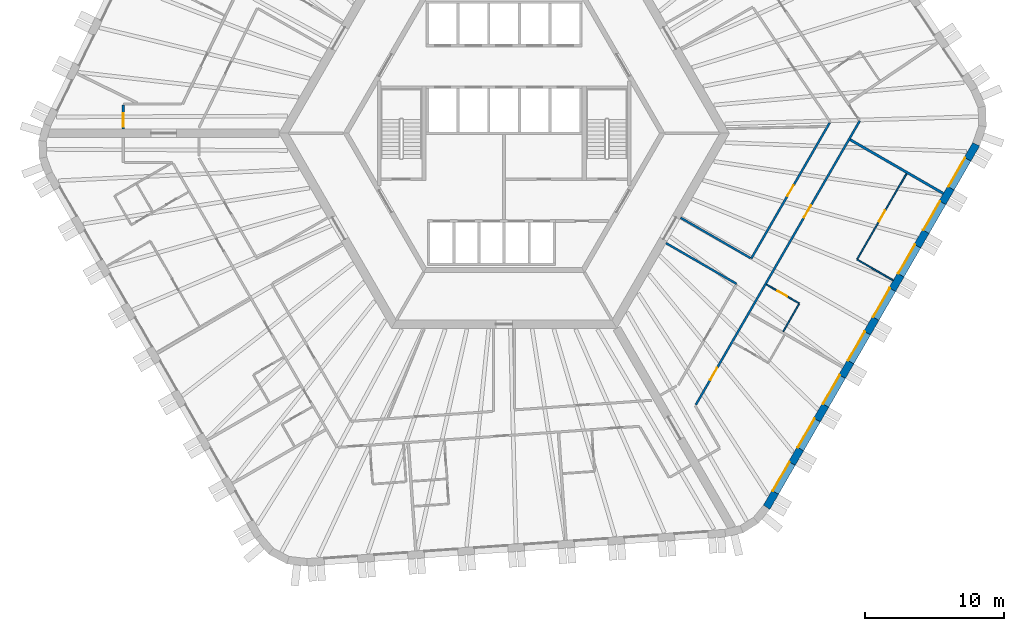
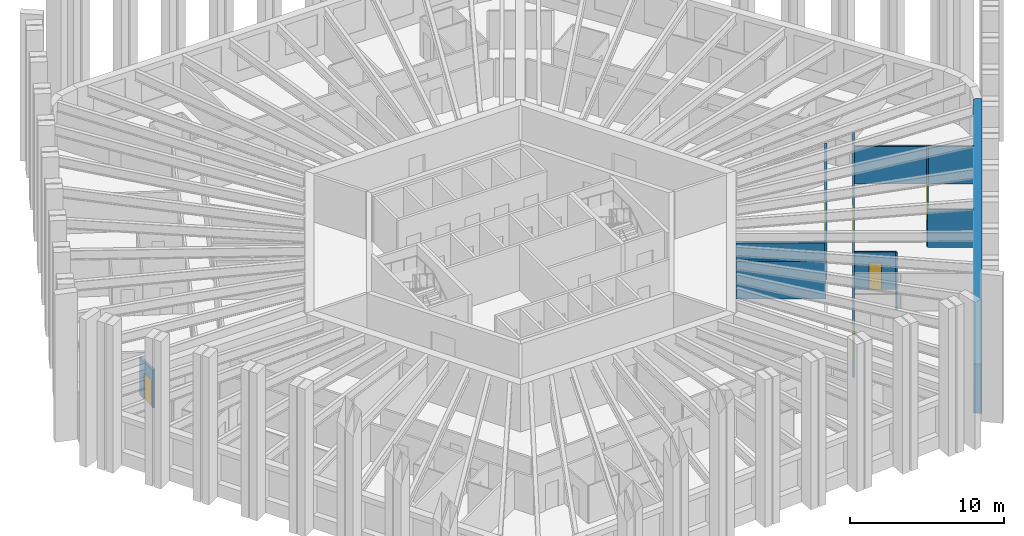
# One storey, part 6 of 13: 11 walls, 8 windows, 6 doors, 14 openings.
"""IFC4 building model written with IfcOpenShell, lengths in metres."""

from ifc_helpers import new_model, si_unit, direction, frame, frame_2d, origin, place, context, subcontext, project, spatial, polyline, rectangle, outline, extrude, material, layer, layer_set, type_object, element, fill, save


model = new_model("IFC4")

# Units and contexts
model_context = context("Model", 3, precision=1e-05, world=origin(), true_north=direction((0.0, 1.0)))
body_context = subcontext(model_context, "Body", "Model", "MODEL_VIEW")
ifc_project = project(units=[si_unit("LENGTHUNIT", "METRE"), si_unit("AREAUNIT", "SQUARE_METRE"), si_unit("VOLUMEUNIT", "CUBIC_METRE"), si_unit("PLANEANGLEUNIT", "RADIAN"), si_unit("MASSUNIT", "GRAM", prefix="KILO")], contexts=[model_context])

# Site, building, storey
site_placement = place(None, origin())
site = spatial("IfcSite", under=ifc_project, at=site_placement, CompositionType="ELEMENT")
building_placement = place(site_placement, origin())
building = spatial("IfcBuilding", under=site, at=building_placement, Name="Tarnside Tower", CompositionType="ELEMENT")
storey_placement = place(building_placement, frame((0.0, 0.0, 80.39990234375)))
storey = spatial("IfcBuildingStorey", under=building, at=storey_placement, Name="L17", CompositionType="ELEMENT", Elevation=80.39990234375)

# Wall, opening, door
ifc_material_1 = material(Name="Gypsum board partition on steel studs", Category="steel")
ifc_layer_1 = layer(ifc_material_1, 0.10009765625)
ifc_layer_set_1 = layer_set([ifc_layer_1], Name="Bathroom wall 100")
wall_type_1 = type_object("IfcWallType", Name="Bathroom wall 100", PredefinedType="PARTITIONING", material=ifc_layer_set_1)
wall_1_placement = place(storey_placement, frame((18.81982421875, -10.85302734375, 0.0), z_axis=(0.0, 0.0, 1.0), x_axis=(0.866073700213, -0.499916338801, 0.0)))
wall_1 = element("IfcWall", 1, at=wall_1_placement, inside=storey, type_object=wall_type_1, Name="Bathroom wall 05142", PredefinedType="PARTITIONING", context=body_context, shape_type="SweptSolid", body=[
    extrude(rectangle(XDim=2.72509765625, YDim=0.10009765625, at=frame_2d((1.362548828125, 0.0))), origin(), (0.0, 0.0, 1.0), 2.98779296875),
])
opening_1_placement = place(wall_1_placement, frame((0.925048828125, 0.0, 0.0)))
opening_1 = element("IfcOpeningElement", 2, at=opening_1_placement, cuts=wall_1, Name="Opening D-B1", PredefinedType="OPENING", context=body_context, shape_type="SweptSolid", body=[
    extrude(rectangle(XDim=0.800048828125, YDim=2.10009765625, at=frame_2d((0.39990234375, 1.050048828125))), frame((0.0, 0.06005859375, 0.0), z_axis=(0.0, -1.0, 0.0), x_axis=(1.0, 0.0, 0.0)), (0.0, 0.0, 1.0), 0.1201171875),
])
ifc_material_2 = material(Name="Timber door leaf", Category="wood")
door_type_1 = type_object("IfcDoorType", Name="Bathroom door 800", OperationType="NOTDEFINED", PredefinedType="DOOR", material=ifc_material_2)
door_1_placement = place(opening_1_placement, origin())
door_1 = element("IfcDoor", 3, at=door_1_placement, inside=storey, type_object=door_type_1, Name="Bathroom door 05033", OperationType="SINGLE_SWING_RIGHT", OverallHeight=2.10009765625, OverallWidth=0.800048828125, PredefinedType="DOOR", context=body_context, shape_type="SweptSolid", body=[
    extrude(rectangle(XDim=0.800048828125, YDim=2.10009765625, at=frame_2d((0.39990234375, 1.050048828125))), frame((0.0, 0.02490234375, 0.0), z_axis=(0.0, -1.0, 0.0), x_axis=(1.0, 0.0, 0.0)), (0.0, 0.0, 1.0), 0.050048828125),
])
fill(opening_1, door_1)

# Wall
wall_2_placement = place(storey_placement, frame((21.15478515625, -12.2587890625, 0.0), z_axis=(0.0, 0.0, 1.0), x_axis=(-0.49995000081, -0.866054268906, 0.0)))
element("IfcWall", 4, at=wall_2_placement, inside=storey, type_object=wall_type_1, Name="Bathroom wall 05143", PredefinedType="PARTITIONING", context=body_context, shape_type="SweptSolid", body=[
    extrude(rectangle(XDim=2.260009765625, YDim=0.10009765625, at=frame_2d((1.1298828125, 0.0))), origin(), (0.0, 0.0, 1.0), 2.98779296875),
])

# Wall, opening, door
ifc_layer_2 = layer(ifc_material_1, 0.14990234375)
ifc_layer_set_2 = layer_set([ifc_layer_2], Name="Corridor wall 150 EI 60")
wall_type_2 = type_object("IfcWallType", Name="Corridor wall 150 EI 60", PredefinedType="PARTITIONING", material=ifc_layer_set_2)
wall_3_placement = place(storey_placement, frame((-27.3203125, 2.02490234375, 0.0), z_axis=(0.0, 0.0, 1.0), x_axis=(0.0, -1.0, 0.0)))
wall_3 = element("IfcWall", 5, at=wall_3_placement, inside=storey, type_object=wall_type_2, Name="Corridor wall 05016", PredefinedType="PARTITIONING", context=body_context, shape_type="SweptSolid", body=[
    extrude(rectangle(XDim=1.724853515625, YDim=0.14990234375, at=frame_2d((0.8623046875, 0.0))), origin(), (0.0, 0.0, 1.0), 2.98779296875),
])
opening_2_placement = place(wall_3_placement, frame((0.574951171875, 0.0, 0.0)))
opening_2 = element("IfcOpeningElement", 6, at=opening_2_placement, cuts=wall_3, Name="Opening D-E1", PredefinedType="OPENING", context=body_context, shape_type="SweptSolid", body=[
    extrude(rectangle(XDim=1.0, YDim=2.10009765625, at=frame_2d((0.5, 1.050048828125))), frame((0.0, 0.0849609375, 0.0), z_axis=(0.0, -1.0, 0.0), x_axis=(1.0, 0.0, 0.0)), (0.0, 0.0, 1.0), 0.169921875),
])
door_type_2 = type_object("IfcDoorType", Name="Unit entrance door 1000 FD30S", OperationType="NOTDEFINED", PredefinedType="DOOR", material=ifc_material_2)
door_2_placement = place(opening_2_placement, origin())
door_2 = element("IfcDoor", 7, at=door_2_placement, inside=storey, type_object=door_type_2, Name="Unit door 05014", OperationType="SINGLE_SWING_LEFT", OverallHeight=2.10009765625, OverallWidth=1.0, PredefinedType="DOOR", context=body_context, shape_type="SweptSolid", body=[
    extrude(rectangle(XDim=1.0, YDim=2.10009765625, at=frame_2d((0.5, 1.050048828125))), frame((0.0, 0.02490234375, 0.0), z_axis=(0.0, -1.0, 0.0), x_axis=(1.0, 0.0, 0.0)), (0.0, 0.0, 1.0), 0.050048828125),
])
fill(opening_2, door_2)

# Wall, openings, doors
wall_4_placement = place(storey_placement, frame((13.75537109375, -19.47509765625, 0.0), z_axis=(0.0, 0.0, 1.0), x_axis=(0.50000013933, 0.866025323342, 0.0)))
wall_4 = element("IfcWall", 8, at=wall_4_placement, inside=storey, type_object=wall_type_2, Name="Corridor wall 05057", PredefinedType="PARTITIONING", context=body_context, shape_type="SweptSolid", body=[
    extrude(rectangle(XDim=23.5166015625, YDim=0.14990234375, at=frame_2d((11.75830078125, 0.0))), origin(), (0.0, 0.0, 1.0), 2.98779296875),
])
opening_3_placement = place(wall_4_placement, frame((2.056396484375, 0.0, 0.0)))
opening_3 = element("IfcOpeningElement", 9, at=opening_3_placement, cuts=wall_4, Name="Opening D-E1", PredefinedType="OPENING", context=body_context, shape_type="SweptSolid", body=[
    extrude(rectangle(XDim=1.0, YDim=2.10009765625, at=frame_2d((0.5, 1.050048828125))), frame((0.0, 0.0849609375, 0.0), z_axis=(0.0, -1.0, 0.0), x_axis=(1.0, 0.0, 0.0)), (0.0, 0.0, 1.0), 0.169921875),
])
opening_4_placement = place(wall_4_placement, frame((15.499267578125, 0.0, 0.0)))
opening_4 = element("IfcOpeningElement", 10, at=opening_4_placement, cuts=wall_4, Name="Opening D-E1", PredefinedType="OPENING", context=body_context, shape_type="SweptSolid", body=[
    extrude(rectangle(XDim=1.0, YDim=2.10009765625, at=frame_2d((0.5, 1.050048828125))), frame((0.0, 0.0849609375, 0.0), z_axis=(0.0, -1.0, 0.0), x_axis=(1.0, 0.0, 0.0)), (0.0, 0.0, 1.0), 0.169921875),
])
door_3_placement = place(opening_3_placement, origin())
door_3 = element("IfcDoor", 11, at=door_3_placement, inside=storey, type_object=door_type_2, Name="Unit door 05030", OperationType="SINGLE_SWING_RIGHT", OverallHeight=2.10009765625, OverallWidth=1.0, PredefinedType="DOOR", context=body_context, shape_type="SweptSolid", body=[
    extrude(rectangle(XDim=1.0, YDim=2.10009765625, at=frame_2d((0.5, 1.050048828125))), frame((0.0, 0.02490234375, 0.0), z_axis=(0.0, -1.0, 0.0), x_axis=(1.0, 0.0, 0.0)), (0.0, 0.0, 1.0), 0.050048828125),
])
fill(opening_3, door_3)
door_4_placement = place(opening_4_placement, origin())
door_4 = element("IfcDoor", 12, at=door_4_placement, inside=storey, type_object=door_type_2, Name="Unit door 05032", OperationType="SINGLE_SWING_LEFT", OverallHeight=2.10009765625, OverallWidth=1.0, PredefinedType="DOOR", context=body_context, shape_type="SweptSolid", body=[
    extrude(rectangle(XDim=1.0, YDim=2.10009765625, at=frame_2d((0.5, 1.050048828125))), frame((0.0, 0.02490234375, 0.0), z_axis=(0.0, -1.0, 0.0), x_axis=(1.0, 0.0, 0.0)), (0.0, 0.0, 1.0), 0.050048828125),
])
fill(opening_4, door_4)

# Wall, opening, door
wall_5_placement = place(storey_placement, frame((23.3505859375, 0.74462890625, 0.0), z_axis=(0.0, 0.0, 1.0), x_axis=(-0.49999316964, -0.866029347258, 0.0)))
wall_5 = element("IfcWall", 13, at=wall_5_placement, inside=storey, type_object=wall_type_2, Name="Corridor wall 05069", PredefinedType="PARTITIONING", context=body_context, shape_type="SweptSolid", body=[
    extrude(rectangle(XDim=11.241455078125, YDim=0.14990234375, at=frame_2d((5.62060546875, 0.0))), origin(), (0.0, 0.0, 1.0), 2.98779296875),
])
opening_5_placement = place(wall_5_placement, frame((5.170654296875, 0.0, 0.0)))
opening_5 = element("IfcOpeningElement", 14, at=opening_5_placement, cuts=wall_5, Name="Opening D-S1", PredefinedType="OPENING", context=body_context, shape_type="SweptSolid", body=[
    extrude(rectangle(XDim=0.89990234375, YDim=2.10009765625, at=frame_2d((0.449951171875, 1.050048828125))), frame((0.0, 0.0849609375, 0.0), z_axis=(0.0, -1.0, 0.0), x_axis=(1.0, 0.0, 0.0)), (0.0, 0.0, 1.0), 0.169921875),
])
door_type_3 = type_object("IfcDoorType", Name="Service room door 900 FD30S", OperationType="NOTDEFINED", PredefinedType="DOOR", material=ifc_material_2)
door_5_placement = place(opening_5_placement, origin())
door_5 = element("IfcDoor", 15, at=door_5_placement, inside=storey, type_object=door_type_3, Name="Service door 05049", OperationType="SINGLE_SWING_RIGHT", OverallHeight=2.10009765625, OverallWidth=0.89990234375, PredefinedType="DOOR", context=body_context, shape_type="SweptSolid", body=[
    extrude(rectangle(XDim=0.89990234375, YDim=2.10009765625, at=frame_2d((0.449951171875, 1.050048828125))), frame((0.0, 0.02490234375, 0.0), z_axis=(0.0, -1.0, 0.0), x_axis=(1.0, 0.0, 0.0)), (0.0, 0.0, 1.0), 0.050048828125),
])
fill(opening_5, door_5)

# Walls
wall_6_placement = place(storey_placement, frame((17.6650390625, -8.953125, 0.0), z_axis=(0.0, 0.0, 1.0), x_axis=(-0.866025774745, 0.499999357477, 0.0)))
element("IfcWall", 16, at=wall_6_placement, inside=storey, type_object=wall_type_2, Name="Corridor wall 05070", PredefinedType="PARTITIONING", context=body_context, shape_type="SweptSolid", body=[
    extrude(rectangle(XDim=5.77490234375, YDim=0.14990234375, at=frame_2d((2.887451171875, 0.0))), origin(), (0.0, 0.0, 1.0), 2.98779296875),
])
wall_7_placement = place(storey_placement, frame((11.61376953125, -7.88427734375, 0.0), z_axis=(0.0, 0.0, 1.0), x_axis=(0.866018092707, -0.500012662943, 0.0)))
element("IfcWall", 17, at=wall_7_placement, inside=storey, type_object=wall_type_2, Name="Corridor wall 05074", PredefinedType="PARTITIONING", context=body_context, shape_type="SweptSolid", body=[
    extrude(rectangle(XDim=5.849853515625, YDim=0.14990234375, at=frame_2d((2.9248046875, 0.0))), origin(), (0.0, 0.0, 1.0), 2.98779296875),
])
ifc_layer_3 = layer(ifc_material_1, 0.179931640625)
ifc_layer_set_3 = layer_set([ifc_layer_3], Name="Demising wall 180 EI 60")
wall_type_3 = type_object("IfcWallType", Name="Demising wall 180 EI 60", PredefinedType="PARTITIONING", material=ifc_layer_set_3)
wall_8_placement = place(storey_placement, frame((31.510009765625, -4.3232421875, 0.0), z_axis=(0.0, 0.0, 1.0), x_axis=(-0.866027174938, 0.499996932259, 0.0)))
element("IfcWall", 18, at=wall_8_placement, inside=storey, type_object=wall_type_3, Name="Demising wall 05146", PredefinedType="PARTITIONING", context=body_context, shape_type="SweptSolid", body=[
    extrude(rectangle(XDim=7.72509765625, YDim=0.179931640625, at=frame_2d((3.862548828125, 0.0))), origin(), (0.0, 0.0, 1.0), 2.98779296875),
])
ifc_layer_4 = layer(ifc_material_1, 0.10009765625)
ifc_layer_set_4 = layer_set([ifc_layer_4], Name="Partition 100")
wall_type_4 = type_object("IfcWallType", Name="Partition 100", PredefinedType="PARTITIONING", material=ifc_layer_set_4)
wall_9_placement = place(storey_placement, frame((27.909912109375, -10.55859375, 0.0), z_axis=(0.0, 0.0, 1.0), x_axis=(-0.866010750942, 0.50002537861, 0.0)))
element("IfcWall", 19, at=wall_9_placement, inside=storey, type_object=wall_type_4, Name="Partition wall 05144", PredefinedType="PARTITIONING", context=body_context, shape_type="SweptSolid", body=[
    extrude(rectangle(XDim=2.999755859375, YDim=0.10009765625, at=frame_2d((1.5, 0.0))), origin(), (0.0, 0.0, 1.0), 2.98779296875),
])

# Wall, opening, door
wall_10_placement = place(storey_placement, frame((25.3369140625, -9.01513671875, 0.0), z_axis=(0.0, 0.0, 1.0), x_axis=(0.500010820671, 0.866019156377, 0.0)))
wall_10 = element("IfcWall", 20, at=wall_10_placement, inside=storey, type_object=wall_type_4, Name="Partition wall 05145", PredefinedType="PARTITIONING", context=body_context, shape_type="SweptSolid", body=[
    extrude(rectangle(XDim=7.059814453125, YDim=0.10009765625, at=frame_2d((3.52978515625, 0.0))), origin(), (0.0, 0.0, 1.0), 2.98779296875),
])
opening_6_placement = place(wall_10_placement, frame((3.10009765625, 0.0, 0.0)))
opening_6 = element("IfcOpeningElement", 21, at=opening_6_placement, cuts=wall_10, Name="Opening D-I1", PredefinedType="OPENING", context=body_context, shape_type="SweptSolid", body=[
    extrude(rectangle(XDim=0.89990234375, YDim=2.10009765625, at=frame_2d((0.449951171875, 1.050048828125))), frame((0.0, 0.06005859375, 0.0), z_axis=(0.0, -1.0, 0.0), x_axis=(1.0, 0.0, 0.0)), (0.0, 0.0, 1.0), 0.1201171875),
])
door_type_4 = type_object("IfcDoorType", Name="Internal door 900", OperationType="NOTDEFINED", PredefinedType="DOOR", material=ifc_material_2)
door_6_placement = place(opening_6_placement, origin())
door_6 = element("IfcDoor", 22, at=door_6_placement, inside=storey, type_object=door_type_4, Name="Internal door 05034", OperationType="SINGLE_SWING_RIGHT", OverallHeight=2.10009765625, OverallWidth=0.89990234375, PredefinedType="DOOR", context=body_context, shape_type="SweptSolid", body=[
    extrude(rectangle(XDim=0.89990234375, YDim=2.10009765625, at=frame_2d((0.449951171875, 1.050048828125))), frame((0.0, 0.02490234375, 0.0), z_axis=(0.0, -1.0, 0.0), x_axis=(1.0, 0.0, 0.0)), (0.0, 0.0, 1.0), 0.050048828125),
])
fill(opening_6, door_6)

# Wall, openings, windows
ifc_material_3 = material(Name="Facing brick", Category="masonry")
ifc_layer_5 = layer(ifc_material_3, 0.10205078125)
ifc_material_4 = material(Name="Concrete C60/75 precast", Category="concrete")
ifc_layer_6 = layer(ifc_material_4, 0.347900390625)
ifc_material_5 = material(Name="Mineral wool insulation")
ifc_layer_7 = layer(ifc_material_5, 0.10009765625)
ifc_layer_set_5 = layer_set([ifc_layer_5, ifc_layer_6, ifc_layer_7], Name="Tube wall 550 brick faced")
wall_type_5 = type_object("IfcWallType", Name="Tube wall 550 brick faced", PredefinedType="SOLIDWALL", material=ifc_layer_set_5)
wall_11_placement = place(storey_placement, frame((18.830322265625, -26.834716796875, -0.14990234375), z_axis=(0.0, 0.0, 1.0), x_axis=(0.500003800416, 0.866023209602, 0.0)))
wall_11 = element("IfcWall", 23, at=wall_11_placement, inside=storey, type_object=wall_type_5, Name="Tube wall L17 F5 flush 16", PredefinedType="SOLIDWALL", context=body_context, shape_type="SweptSolid", body=[
    extrude(outline(polyline([(-0.0224609375, -0.27490234375), (30.0966796875, -0.27490234375), (30.04541015625, 0.27490234375), (0.0224609375, 0.27490234375), (-0.0224609375, -0.27490234375)])), origin(), (0.0, 0.0, 1.0), 3.89990234375),
])
opening_7_placement = place(wall_11_placement, frame((1.235595703125, 0.0, 1.050048828125)))
opening_7 = element("IfcOpeningElement", 24, at=opening_7_placement, cuts=wall_11, Name="Opening WH", PredefinedType="OPENING", context=body_context, shape_type="SweptSolid", body=[
    extrude(rectangle(XDim=2.39990234375, YDim=2.39990234375, at=frame_2d((1.199951171875, 1.199951171875))), frame((0.0, 0.28515625, 0.0), z_axis=(0.0, -1.0, 0.0), x_axis=(1.0, 0.0, 0.0)), (0.0, 0.0, 1.0), 0.570068359375),
])
opening_8_placement = place(wall_11_placement, frame((4.83544921875, 0.0, 1.050048828125)))
opening_8 = element("IfcOpeningElement", 25, at=opening_8_placement, cuts=wall_11, Name="Opening WH", PredefinedType="OPENING", context=body_context, shape_type="SweptSolid", body=[
    extrude(rectangle(XDim=2.39990234375, YDim=2.39990234375, at=frame_2d((1.199951171875, 1.199951171875))), frame((0.0, 0.28515625, 0.0), z_axis=(0.0, -1.0, 0.0), x_axis=(1.0, 0.0, 0.0)), (0.0, 0.0, 1.0), 0.570068359375),
])
opening_9_placement = place(wall_11_placement, frame((8.435546875, 0.0, 1.050048828125)))
opening_9 = element("IfcOpeningElement", 26, at=opening_9_placement, cuts=wall_11, Name="Opening WH", PredefinedType="OPENING", context=body_context, shape_type="SweptSolid", body=[
    extrude(rectangle(XDim=2.39990234375, YDim=2.39990234375, at=frame_2d((1.199951171875, 1.199951171875))), frame((0.0, 0.28515625, 0.0), z_axis=(0.0, -1.0, 0.0), x_axis=(1.0, 0.0, 0.0)), (0.0, 0.0, 1.0), 0.570068359375),
])
opening_10_placement = place(wall_11_placement, frame((12.035400390625, 0.0, 1.050048828125)))
opening_10 = element("IfcOpeningElement", 27, at=opening_10_placement, cuts=wall_11, Name="Opening WH", PredefinedType="OPENING", context=body_context, shape_type="SweptSolid", body=[
    extrude(rectangle(XDim=2.39990234375, YDim=2.39990234375, at=frame_2d((1.199951171875, 1.199951171875))), frame((0.0, 0.28515625, 0.0), z_axis=(0.0, -1.0, 0.0), x_axis=(1.0, 0.0, 0.0)), (0.0, 0.0, 1.0), 0.570068359375),
])
opening_11_placement = place(wall_11_placement, frame((15.635498046875, 0.0, 1.050048828125)))
opening_11 = element("IfcOpeningElement", 28, at=opening_11_placement, cuts=wall_11, Name="Opening WH", PredefinedType="OPENING", context=body_context, shape_type="SweptSolid", body=[
    extrude(rectangle(XDim=2.39990234375, YDim=2.39990234375, at=frame_2d((1.199951171875, 1.199951171875))), frame((0.0, 0.28515625, 0.0), z_axis=(0.0, -1.0, 0.0), x_axis=(1.0, 0.0, 0.0)), (0.0, 0.0, 1.0), 0.570068359375),
])
opening_12_placement = place(wall_11_placement, frame((19.235595703125, 0.0, 1.050048828125)))
opening_12 = element("IfcOpeningElement", 29, at=opening_12_placement, cuts=wall_11, Name="Opening WH", PredefinedType="OPENING", context=body_context, shape_type="SweptSolid", body=[
    extrude(rectangle(XDim=2.39990234375, YDim=2.39990234375, at=frame_2d((1.199951171875, 1.199951171875))), frame((0.0, 0.28515625, 0.0), z_axis=(0.0, -1.0, 0.0), x_axis=(1.0, 0.0, 0.0)), (0.0, 0.0, 1.0), 0.570068359375),
])
opening_13_placement = place(wall_11_placement, frame((22.83544921875, 0.0, 1.050048828125)))
opening_13 = element("IfcOpeningElement", 30, at=opening_13_placement, cuts=wall_11, Name="Opening WH", PredefinedType="OPENING", context=body_context, shape_type="SweptSolid", body=[
    extrude(rectangle(XDim=2.39990234375, YDim=2.39990234375, at=frame_2d((1.199951171875, 1.199951171875))), frame((0.0, 0.28515625, 0.0), z_axis=(0.0, -1.0, 0.0), x_axis=(1.0, 0.0, 0.0)), (0.0, 0.0, 1.0), 0.570068359375),
])
opening_14_placement = place(wall_11_placement, frame((26.435546875, 0.0, 1.050048828125)))
opening_14 = element("IfcOpeningElement", 31, at=opening_14_placement, cuts=wall_11, Name="Opening WH", PredefinedType="OPENING", context=body_context, shape_type="SweptSolid", body=[
    extrude(rectangle(XDim=2.39990234375, YDim=2.39990234375, at=frame_2d((1.199951171875, 1.199951171875))), frame((0.0, 0.28515625, 0.0), z_axis=(0.0, -1.0, 0.0), x_axis=(1.0, 0.0, 0.0)), (0.0, 0.0, 1.0), 0.570068359375),
])
ifc_material_6 = material(Name="Aluminium-framed double glazing", Category="aluminium")
window_type = type_object("IfcWindowType", Name="Hotel window 2400 x 2400", PartitioningType="DOUBLE_PANEL_VERTICAL", PredefinedType="WINDOW", material=ifc_material_6)
window_1_placement = place(opening_7_placement, frame((0.0, 0.205078125, 0.0)))
window_1 = element("IfcWindow", 32, at=window_1_placement, inside=storey, type_object=window_type, Name="E.WN.L17.F5.00", OverallHeight=2.39990234375, OverallWidth=2.39990234375, PartitioningType="DOUBLE_PANEL_VERTICAL", PredefinedType="WINDOW", context=body_context, shape_type="SweptSolid", body=[
    extrude(rectangle(XDim=2.39990234375, YDim=2.39990234375, at=frame_2d((1.199951171875, 1.199951171875))), frame((0.0, 0.030029296875, 0.0), z_axis=(0.0, -1.0, 0.0), x_axis=(1.0, 0.0, 0.0)), (0.0, 0.0, 1.0), 0.06005859375),
])
fill(opening_7, window_1)
window_2_placement = place(opening_8_placement, frame((0.0, 0.205078125, 0.0)))
window_2 = element("IfcWindow", 33, at=window_2_placement, inside=storey, type_object=window_type, Name="E.WN.L17.F5.01", OverallHeight=2.39990234375, OverallWidth=2.39990234375, PartitioningType="DOUBLE_PANEL_VERTICAL", PredefinedType="WINDOW", context=body_context, shape_type="SweptSolid", body=[
    extrude(rectangle(XDim=2.39990234375, YDim=2.39990234375, at=frame_2d((1.199951171875, 1.199951171875))), frame((0.0, 0.030029296875, 0.0), z_axis=(0.0, -1.0, 0.0), x_axis=(1.0, 0.0, 0.0)), (0.0, 0.0, 1.0), 0.06005859375),
])
fill(opening_8, window_2)
window_3_placement = place(opening_9_placement, frame((0.0, 0.205078125, 0.0)))
window_3 = element("IfcWindow", 34, at=window_3_placement, inside=storey, type_object=window_type, Name="E.WN.L17.F5.02", OverallHeight=2.39990234375, OverallWidth=2.39990234375, PartitioningType="DOUBLE_PANEL_VERTICAL", PredefinedType="WINDOW", context=body_context, shape_type="SweptSolid", body=[
    extrude(rectangle(XDim=2.39990234375, YDim=2.39990234375, at=frame_2d((1.199951171875, 1.199951171875))), frame((0.0, 0.030029296875, 0.0), z_axis=(0.0, -1.0, 0.0), x_axis=(1.0, 0.0, 0.0)), (0.0, 0.0, 1.0), 0.06005859375),
])
fill(opening_9, window_3)
window_4_placement = place(opening_10_placement, frame((0.0, 0.205078125, 0.0)))
window_4 = element("IfcWindow", 35, at=window_4_placement, inside=storey, type_object=window_type, Name="E.WN.L17.F5.03", OverallHeight=2.39990234375, OverallWidth=2.39990234375, PartitioningType="DOUBLE_PANEL_VERTICAL", PredefinedType="WINDOW", context=body_context, shape_type="SweptSolid", body=[
    extrude(rectangle(XDim=2.39990234375, YDim=2.39990234375, at=frame_2d((1.199951171875, 1.199951171875))), frame((0.0, 0.030029296875, 0.0), z_axis=(0.0, -1.0, 0.0), x_axis=(1.0, 0.0, 0.0)), (0.0, 0.0, 1.0), 0.06005859375),
])
fill(opening_10, window_4)
window_5_placement = place(opening_11_placement, frame((0.0, 0.205078125, 0.0)))
window_5 = element("IfcWindow", 36, at=window_5_placement, inside=storey, type_object=window_type, Name="E.WN.L17.F5.04", OverallHeight=2.39990234375, OverallWidth=2.39990234375, PartitioningType="DOUBLE_PANEL_VERTICAL", PredefinedType="WINDOW", context=body_context, shape_type="SweptSolid", body=[
    extrude(rectangle(XDim=2.39990234375, YDim=2.39990234375, at=frame_2d((1.199951171875, 1.199951171875))), frame((0.0, 0.030029296875, 0.0), z_axis=(0.0, -1.0, 0.0), x_axis=(1.0, 0.0, 0.0)), (0.0, 0.0, 1.0), 0.06005859375),
])
fill(opening_11, window_5)
window_6_placement = place(opening_12_placement, frame((0.0, 0.205078125, 0.0)))
window_6 = element("IfcWindow", 37, at=window_6_placement, inside=storey, type_object=window_type, Name="E.WN.L17.F5.05", OverallHeight=2.39990234375, OverallWidth=2.39990234375, PartitioningType="DOUBLE_PANEL_VERTICAL", PredefinedType="WINDOW", context=body_context, shape_type="SweptSolid", body=[
    extrude(rectangle(XDim=2.39990234375, YDim=2.39990234375, at=frame_2d((1.199951171875, 1.199951171875))), frame((0.0, 0.030029296875, 0.0), z_axis=(0.0, -1.0, 0.0), x_axis=(1.0, 0.0, 0.0)), (0.0, 0.0, 1.0), 0.06005859375),
])
fill(opening_12, window_6)
window_7_placement = place(opening_13_placement, frame((0.0, 0.205078125, 0.0)))
window_7 = element("IfcWindow", 38, at=window_7_placement, inside=storey, type_object=window_type, Name="E.WN.L17.F5.06", OverallHeight=2.39990234375, OverallWidth=2.39990234375, PartitioningType="DOUBLE_PANEL_VERTICAL", PredefinedType="WINDOW", context=body_context, shape_type="SweptSolid", body=[
    extrude(rectangle(XDim=2.39990234375, YDim=2.39990234375, at=frame_2d((1.199951171875, 1.199951171875))), frame((0.0, 0.030029296875, 0.0), z_axis=(0.0, -1.0, 0.0), x_axis=(1.0, 0.0, 0.0)), (0.0, 0.0, 1.0), 0.06005859375),
])
fill(opening_13, window_7)
window_8_placement = place(opening_14_placement, frame((0.0, 0.205078125, 0.0)))
window_8 = element("IfcWindow", 39, at=window_8_placement, inside=storey, type_object=window_type, Name="E.WN.L17.F5.07", OverallHeight=2.39990234375, OverallWidth=2.39990234375, PartitioningType="DOUBLE_PANEL_VERTICAL", PredefinedType="WINDOW", context=body_context, shape_type="SweptSolid", body=[
    extrude(rectangle(XDim=2.39990234375, YDim=2.39990234375, at=frame_2d((1.199951171875, 1.199951171875))), frame((0.0, 0.030029296875, 0.0), z_axis=(0.0, -1.0, 0.0), x_axis=(1.0, 0.0, 0.0)), (0.0, 0.0, 1.0), 0.06005859375),
])
fill(opening_14, window_8)

save(model, "model.ifc")
